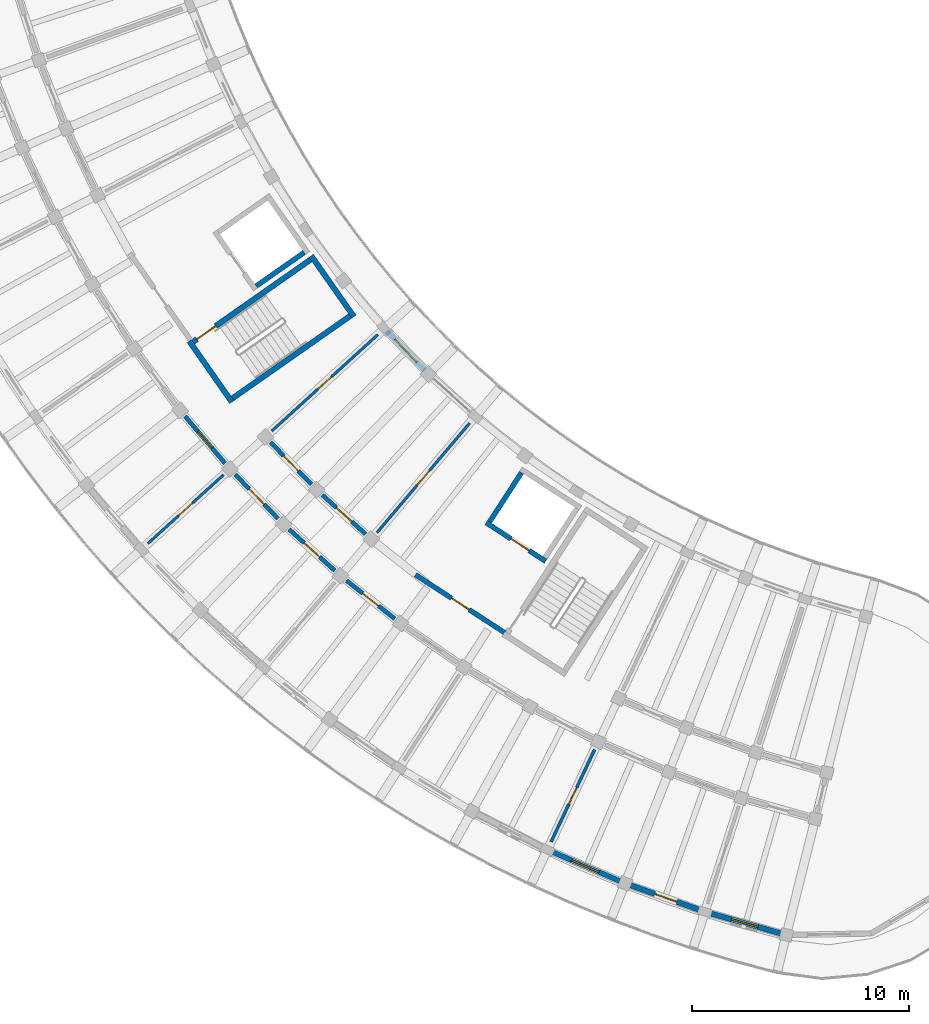
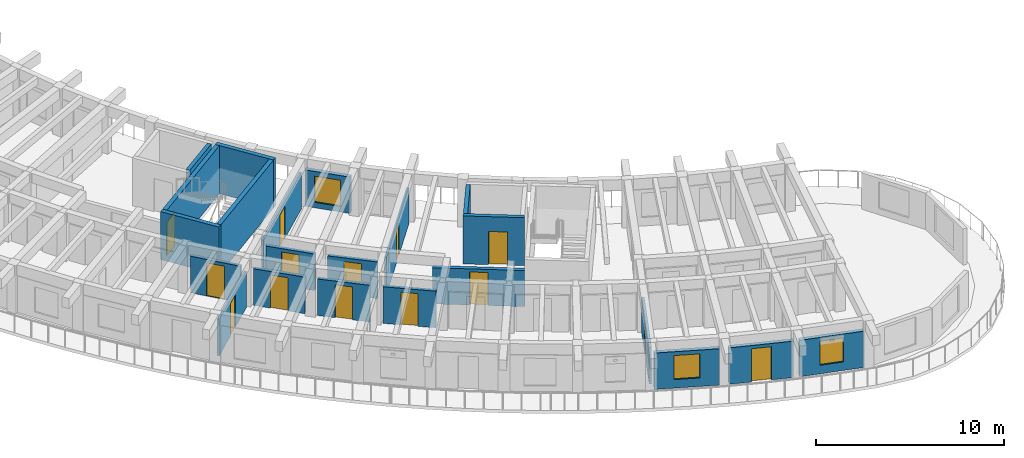
# One storey, part 28 of 69: 22 walls, 14 doors, 3 windows, 17 openings.
"""IFC4 building model written with IfcOpenShell, lengths in metres."""

from ifc_helpers import new_model, si_unit, direction, frame, frame_2d, origin, place, context, subcontext, project, spatial, rectangle, extrude, material, layer, layer_set, type_object, element, fill, save


model = new_model("IFC4")

# Units and contexts
model_context = context("Model", 3, precision=1e-05, world=origin(), true_north=direction((0.0, 1.0)))
body_context = subcontext(model_context, "Body", "Model", "MODEL_VIEW")
ifc_project = project(units=[si_unit("LENGTHUNIT", "METRE"), si_unit("AREAUNIT", "SQUARE_METRE"), si_unit("VOLUMEUNIT", "CUBIC_METRE"), si_unit("PLANEANGLEUNIT", "RADIAN"), si_unit("MASSUNIT", "GRAM", prefix="KILO")], contexts=[model_context])

# Site, building, storey
site_placement = place(None, origin())
site = spatial("IfcSite", under=ifc_project, at=site_placement, CompositionType="ELEMENT")
building_placement = place(site_placement, origin())
building = spatial("IfcBuilding", under=site, at=building_placement, Name="Tanwirah Colonnade Gardens", CompositionType="ELEMENT")
storey_placement = place(building_placement, frame((0.0, 0.0, 15.56005859375)))
storey = spatial("IfcBuildingStorey", under=building, at=storey_placement, Name="L04", CompositionType="ELEMENT", Elevation=15.56005859375)

# Wall, opening, window
ifc_material_1 = material(Name="Limestone architectural precast concrete C40/50", Category="masonry")
ifc_layer_1 = layer(ifc_material_1, 0.2451171875)
ifc_layer_set_1 = layer_set([ifc_layer_1], Name="Limestone architectural precast concrete C40/50")
wall_type_1 = type_object("IfcWallType", Name="EW-PC245", PredefinedType="SOLIDWALL", material=ifc_layer_set_1)
wall_1_placement = place(storey_placement, frame((32.208740234375, 34.49853515625, 0.0), z_axis=(0.0, 0.0, 1.0), x_axis=(0.696228228984, -0.717820488121, 0.0)))
wall_1 = element("IfcWall", 1, at=wall_1_placement, inside=storey, type_object=wall_type_1, Name="Block C L04 IN Precast Facade Wall 7", PredefinedType="SOLIDWALL", context=body_context, shape_type="SweptSolid", body=[
    extrude(rectangle(XDim=2.498779296875, YDim=0.2451171875, at=frame_2d((1.24951171875, 0.0))), origin(), (0.0, 0.0, 1.0), 2.35498046875),
])
opening_1_placement = place(wall_1_placement, frame((0.5244140625, 0.0, 0.35009765625)))
opening_1 = element("IfcOpeningElement", 2, at=opening_1_placement, cuts=wall_1, Name="Opening WIN-T07", PredefinedType="OPENING", context=body_context, shape_type="SweptSolid", body=[
    extrude(rectangle(XDim=1.449951171875, YDim=1.699951171875, at=frame_2d((0.72509765625, 0.85009765625))), frame((0.0, 0.132568359375, 0.0), z_axis=(0.0, -1.0, 0.0), x_axis=(1.0, 0.0, 0.0)), (0.0, 0.0, 1.0), 0.26513671875),
])
ifc_material_2 = material(Name="Thermally broken bronze aluminium and solar low-E double glazing", Category="aluminium")
window_type_1 = type_object("IfcWindowType", Name="WIN-T07", PartitioningType="DOUBLE_PANEL_VERTICAL", PredefinedType="WINDOW", material=ifc_material_2)
window_1_placement = place(opening_1_placement, origin())
window_1 = element("IfcWindow", 3, at=window_1_placement, inside=storey, type_object=window_type_1, Name="Facade window C-L04-IN-07", OverallHeight=1.699951171875, OverallWidth=1.449951171875, PartitioningType="SINGLE_PANEL", PredefinedType="WINDOW", context=body_context, shape_type="SweptSolid", body=[
    extrude(rectangle(XDim=1.449951171875, YDim=1.699951171875, at=frame_2d((0.72509765625, 0.85009765625))), frame((0.0, 0.030029296875, 0.0), z_axis=(0.0, -1.0, 0.0), x_axis=(1.0, 0.0, 0.0)), (0.0, 0.0, 1.0), 0.06005859375),
])
fill(opening_1, window_1)

wall_2_placement = place(storey_placement, frame((39.74462890625, 10.576171875, 0.0), z_axis=(0.0, 0.0, 1.0), x_axis=(0.917938367037, -0.396723019652, 0.0)))
wall_2 = element("IfcWall", 4, at=wall_2_placement, inside=storey, type_object=wall_type_1, Name="Block C L04 OUT Precast Facade Wall 13", PredefinedType="SOLIDWALL", context=body_context, shape_type="SweptSolid", body=[
    extrude(rectangle(XDim=3.48681640625, YDim=0.2451171875, at=frame_2d((1.743408203125, 0.0))), origin(), (0.0, 0.0, 1.0), 2.35498046875),
])
opening_2_placement = place(wall_2_placement, frame((1.053466796875, 0.0, 0.550048828125)))
opening_2 = element("IfcOpeningElement", 5, at=opening_2_placement, cuts=wall_2, Name="Opening WIN-T18", PredefinedType="OPENING", context=body_context, shape_type="SweptSolid", body=[
    extrude(rectangle(XDim=1.3798828125, YDim=1.56005859375, at=frame_2d((0.68994140625, 0.780029296875))), frame((0.0, 0.132568359375, 0.0), z_axis=(0.0, -1.0, 0.0), x_axis=(1.0, 0.0, 0.0)), (0.0, 0.0, 1.0), 0.26513671875),
])
window_type_2 = type_object("IfcWindowType", Name="WIN-T18", PartitioningType="DOUBLE_PANEL_VERTICAL", PredefinedType="WINDOW", material=ifc_material_2)
window_2_placement = place(opening_2_placement, origin())
window_2 = element("IfcWindow", 6, at=window_2_placement, inside=storey, type_object=window_type_2, Name="Facade window C-L04-OUT-13", OverallHeight=1.56005859375, OverallWidth=1.3798828125, PartitioningType="SINGLE_PANEL", PredefinedType="WINDOW", context=body_context, shape_type="SweptSolid", body=[
    extrude(rectangle(XDim=1.3798828125, YDim=1.56005859375, at=frame_2d((0.68994140625, 0.780029296875))), frame((0.0, 0.030029296875, 0.0), z_axis=(0.0, -1.0, 0.0), x_axis=(1.0, 0.0, 0.0)), (0.0, 0.0, 1.0), 0.06005859375),
])
fill(opening_2, window_2)

# Wall, opening, door
wall_3_placement = place(storey_placement, frame((43.410400390625, 9.009765625, 0.0), z_axis=(0.0, 0.0, 1.0), x_axis=(0.941903386561, -0.335883923976, 0.0)))
wall_3 = element("IfcWall", 7, at=wall_3_placement, inside=storey, type_object=wall_type_1, Name="Block C L04 OUT Precast Facade Wall 14", PredefinedType="SOLIDWALL", context=body_context, shape_type="SweptSolid", body=[
    extrude(rectangle(XDim=3.48681640625, YDim=0.2451171875, at=frame_2d((1.743408203125, 0.0))), origin(), (0.0, 0.0, 1.0), 2.35498046875),
])
opening_3_placement = place(wall_3_placement, frame((1.203369140625, 0.0, 0.0)))
opening_3 = element("IfcOpeningElement", 8, at=opening_3_placement, cuts=wall_3, Name="Opening L04-ED147", PredefinedType="OPENING", context=body_context, shape_type="SweptSolid", body=[
    extrude(rectangle(XDim=1.080078125, YDim=2.14990234375, at=frame_2d((0.5400390625, 1.074951171875))), frame((0.0, 0.132568359375, 0.0), z_axis=(0.0, -1.0, 0.0), x_axis=(1.0, 0.0, 0.0)), (0.0, 0.0, 1.0), 0.26513671875),
])
ifc_material_3 = material(Name="Bronze aluminium glazed balcony door", Category="aluminium")
door_type_1 = type_object("IfcDoorType", Name="ED-BAL108", OperationType="NOTDEFINED", PredefinedType="DOOR", material=ifc_material_3)
door_1_placement = place(opening_3_placement, origin())
door_1 = element("IfcDoor", 9, at=door_1_placement, inside=storey, type_object=door_type_1, Name="Balcony glazed door L04-ED147", OperationType="SINGLE_SWING_LEFT", OverallHeight=2.14990234375, OverallWidth=1.080078125, PredefinedType="DOOR", context=body_context, shape_type="SweptSolid", body=[
    extrude(rectangle(XDim=1.080078125, YDim=2.14990234375, at=frame_2d((0.5400390625, 1.074951171875))), frame((0.0, 0.02490234375, 0.0), z_axis=(0.0, -1.0, 0.0), x_axis=(1.0, 0.0, 0.0)), (0.0, 0.0, 1.0), 0.050048828125),
])
fill(opening_3, door_1)

# Wall, opening, window
wall_4_placement = place(storey_placement, frame((46.999267578125, 7.740966796875, 0.0), z_axis=(0.0, 0.0, 1.0), x_axis=(0.961871954212, -0.2735001713, 0.0)))
wall_4 = element("IfcWall", 10, at=wall_4_placement, inside=storey, type_object=wall_type_1, Name="Block C L04 OUT Precast Facade Wall 15", PredefinedType="SOLIDWALL", context=body_context, shape_type="SweptSolid", body=[
    extrude(rectangle(XDim=3.48681640625, YDim=0.2451171875, at=frame_2d((1.743408203125, 0.0))), origin(), (0.0, 0.0, 1.0), 2.35498046875),
])
opening_4_placement = place(wall_4_placement, frame((1.103515625, 0.0, 0.550048828125)))
opening_4 = element("IfcOpeningElement", 11, at=opening_4_placement, cuts=wall_4, Name="Opening WIN-U04", PredefinedType="OPENING", context=body_context, shape_type="SweptSolid", body=[
    extrude(rectangle(XDim=1.280029296875, YDim=1.56005859375, at=frame_2d((0.64013671875, 0.780029296875))), frame((0.0, 0.132568359375, 0.0), z_axis=(0.0, -1.0, 0.0), x_axis=(1.0, 0.0, 0.0)), (0.0, 0.0, 1.0), 0.26513671875),
])
window_type_3 = type_object("IfcWindowType", Name="WIN-U04", PartitioningType="DOUBLE_PANEL_VERTICAL", PredefinedType="WINDOW", material=ifc_material_2)
window_3_placement = place(opening_4_placement, origin())
window_3 = element("IfcWindow", 12, at=window_3_placement, inside=storey, type_object=window_type_3, Name="Facade window C-L04-OUT-15", OverallHeight=1.56005859375, OverallWidth=1.280029296875, PartitioningType="SINGLE_PANEL", PredefinedType="WINDOW", context=body_context, shape_type="SweptSolid", body=[
    extrude(rectangle(XDim=1.280029296875, YDim=1.56005859375, at=frame_2d((0.64013671875, 0.780029296875))), frame((0.0, 0.030029296875, 0.0), z_axis=(0.0, -1.0, 0.0), x_axis=(1.0, 0.0, 0.0)), (0.0, 0.0, 1.0), 0.06005859375),
])
fill(opening_4, window_3)

# Wall, opening, door
ifc_material_4 = material(Name="Precast concrete C40/50", Category="concrete")
ifc_layer_2 = layer(ifc_material_4, 0.195068359375)
ifc_layer_set_2 = layer_set([ifc_layer_2], Name="Precast concrete C40/50")
wall_type_2 = type_object("IfcWallType", Name="IW-CORR195", PredefinedType="PARTITIONING", material=ifc_layer_set_2)
wall_5_placement = place(storey_placement, frame((22.9267578125, 30.58642578125, 0.0), z_axis=(0.0, 0.0, 1.0), x_axis=(0.64778830669, -0.761820392032, 0.0)))
wall_5 = element("IfcWall", 13, at=wall_5_placement, inside=storey, type_object=wall_type_2, Name="Block C L04 OUT Corridor Wall 6", PredefinedType="PARTITIONING", context=body_context, shape_type="SweptSolid", body=[
    extrude(rectangle(XDim=2.8369140625, YDim=0.195068359375, at=frame_2d((1.41845703125, 0.0))), origin(), (0.0, 0.0, 1.0), 2.369873046875),
])
opening_5_placement = place(wall_5_placement, frame((0.923583984375, 0.0, 0.0)))
opening_5 = element("IfcOpeningElement", 14, at=opening_5_placement, cuts=wall_5, Name="Opening L04-AD1442", PredefinedType="OPENING", context=body_context, shape_type="SweptSolid", body=[
    extrude(rectangle(XDim=0.989990234375, YDim=2.159912109375, at=frame_2d((0.4951171875, 1.080078125))), frame((0.0, 0.107421875, 0.0), z_axis=(0.0, -1.0, 0.0), x_axis=(1.0, 0.0, 0.0)), (0.0, 0.0, 1.0), 0.215087890625),
])
ifc_material_5 = material(Name="Solid oak fire-resisting apartment entrance door")
door_type_2 = type_object("IfcDoorType", Name="ID-FLT099", OperationType="NOTDEFINED", PredefinedType="DOOR", material=ifc_material_5)
door_2_placement = place(opening_5_placement, origin())
door_2 = element("IfcDoor", 15, at=door_2_placement, inside=storey, type_object=door_type_2, Name="Apartment corridor door L04-AD1442", OperationType="SINGLE_SWING_LEFT", OverallHeight=2.159912109375, OverallWidth=0.989990234375, PredefinedType="DOOR", context=body_context, shape_type="SweptSolid", body=[
    extrude(rectangle(XDim=0.989990234375, YDim=2.159912109375, at=frame_2d((0.4951171875, 1.080078125))), frame((0.0, 0.02490234375, 0.0), z_axis=(0.0, -1.0, 0.0), x_axis=(1.0, 0.0, 0.0)), (0.0, 0.0, 1.0), 0.050048828125),
])
fill(opening_5, door_2)

wall_6_placement = place(storey_placement, frame((25.23486328125, 27.9072265625, 0.0), z_axis=(0.0, 0.0, 1.0), x_axis=(0.696223786753, -0.717824796701, 0.0)))
wall_6 = element("IfcWall", 16, at=wall_6_placement, inside=storey, type_object=wall_type_2, Name="Block C L04 OUT Corridor Wall 7", PredefinedType="PARTITIONING", context=body_context, shape_type="SweptSolid", body=[
    extrude(rectangle(XDim=2.8369140625, YDim=0.195068359375, at=frame_2d((1.41845703125, 0.0))), origin(), (0.0, 0.0, 1.0), 2.369873046875),
])
opening_6_placement = place(wall_6_placement, frame((0.93359375, 0.0, 0.0)))
opening_6 = element("IfcOpeningElement", 17, at=opening_6_placement, cuts=wall_6, Name="Opening L04-AD1445", PredefinedType="OPENING", context=body_context, shape_type="SweptSolid", body=[
    extrude(rectangle(XDim=0.969970703125, YDim=2.14990234375, at=frame_2d((0.48486328125, 1.074951171875))), frame((0.0, 0.107421875, 0.0), z_axis=(0.0, -1.0, 0.0), x_axis=(1.0, 0.0, 0.0)), (0.0, 0.0, 1.0), 0.215087890625),
])
door_type_3 = type_object("IfcDoorType", Name="ID-FLT097", OperationType="NOTDEFINED", PredefinedType="DOOR", material=ifc_material_5)
door_3_placement = place(opening_6_placement, origin())
door_3 = element("IfcDoor", 18, at=door_3_placement, inside=storey, type_object=door_type_3, Name="Apartment corridor door L04-AD1445", OperationType="SINGLE_SWING_RIGHT", OverallHeight=2.14990234375, OverallWidth=0.969970703125, PredefinedType="DOOR", context=body_context, shape_type="SweptSolid", body=[
    extrude(rectangle(XDim=0.969970703125, YDim=2.14990234375, at=frame_2d((0.48486328125, 1.074951171875))), frame((0.0, 0.02490234375, 0.0), z_axis=(0.0, -1.0, 0.0), x_axis=(1.0, 0.0, 0.0)), (0.0, 0.0, 1.0), 0.050048828125),
])
fill(opening_6, door_3)

wall_7_placement = place(storey_placement, frame((26.86328125, 29.386474609375, 0.0), z_axis=(0.0, 0.0, 1.0), x_axis=(0.696236443412, -0.717812520694, 0.0)))
wall_7 = element("IfcWall", 19, at=wall_7_placement, inside=storey, type_object=wall_type_2, Name="Block C L04 IN Corridor Wall 7", PredefinedType="PARTITIONING", context=body_context, shape_type="SweptSolid", body=[
    extrude(rectangle(XDim=2.693115234375, YDim=0.195068359375, at=frame_2d((1.3466796875, 0.0))), origin(), (0.0, 0.0, 1.0), 2.369873046875),
])
opening_7_placement = place(wall_7_placement, frame((0.861572265625, 0.0, 0.0)))
opening_7 = element("IfcOpeningElement", 20, at=opening_7_placement, cuts=wall_7, Name="Opening L04-AD1446", PredefinedType="OPENING", context=body_context, shape_type="SweptSolid", body=[
    extrude(rectangle(XDim=0.969970703125, YDim=2.14990234375, at=frame_2d((0.48486328125, 1.074951171875))), frame((0.0, 0.107421875, 0.0), z_axis=(0.0, -1.0, 0.0), x_axis=(1.0, 0.0, 0.0)), (0.0, 0.0, 1.0), 0.215087890625),
])
door_4_placement = place(opening_7_placement, origin())
door_4 = element("IfcDoor", 21, at=door_4_placement, inside=storey, type_object=door_type_3, Name="Apartment corridor door L04-AD1446", OperationType="SINGLE_SWING_LEFT", OverallHeight=2.14990234375, OverallWidth=0.969970703125, PredefinedType="DOOR", context=body_context, shape_type="SweptSolid", body=[
    extrude(rectangle(XDim=0.969970703125, YDim=2.14990234375, at=frame_2d((0.48486328125, 1.074951171875))), frame((0.0, 0.02490234375, 0.0), z_axis=(0.0, -1.0, 0.0), x_axis=(1.0, 0.0, 0.0)), (0.0, 0.0, 1.0), 0.050048828125),
])
fill(opening_7, door_4)

wall_8_placement = place(storey_placement, frame((27.71337890625, 25.385009765625, 0.0), z_axis=(0.0, 0.0, 1.0), x_axis=(0.741631592147, -0.670807410163, 0.0)))
wall_8 = element("IfcWall", 22, at=wall_8_placement, inside=storey, type_object=wall_type_2, Name="Block C L04 OUT Corridor Wall 8", PredefinedType="PARTITIONING", context=body_context, shape_type="SweptSolid", body=[
    extrude(rectangle(XDim=2.8369140625, YDim=0.195068359375, at=frame_2d((1.41845703125, 0.0))), origin(), (0.0, 0.0, 1.0), 2.369873046875),
])
opening_8_placement = place(wall_8_placement, frame((0.943603515625, 0.0, 0.0)))
opening_8 = element("IfcOpeningElement", 23, at=opening_8_placement, cuts=wall_8, Name="Opening L04-AD1447", PredefinedType="OPENING", context=body_context, shape_type="SweptSolid", body=[
    extrude(rectangle(XDim=0.949951171875, YDim=2.1298828125, at=frame_2d((0.47509765625, 1.06494140625))), frame((0.0, 0.107421875, 0.0), z_axis=(0.0, -1.0, 0.0), x_axis=(1.0, 0.0, 0.0)), (0.0, 0.0, 1.0), 0.215087890625),
])
door_type_4 = type_object("IfcDoorType", Name="ID-FLT095", OperationType="NOTDEFINED", PredefinedType="DOOR", material=ifc_material_5)
door_5_placement = place(opening_8_placement, origin())
door_5 = element("IfcDoor", 24, at=door_5_placement, inside=storey, type_object=door_type_4, Name="Apartment corridor door L04-AD1447", OperationType="SINGLE_SWING_LEFT", OverallHeight=2.1298828125, OverallWidth=0.949951171875, PredefinedType="DOOR", context=body_context, shape_type="SweptSolid", body=[
    extrude(rectangle(XDim=0.949951171875, YDim=2.1298828125, at=frame_2d((0.47509765625, 1.06494140625))), frame((0.0, 0.02490234375, 0.0), z_axis=(0.0, -1.0, 0.0), x_axis=(1.0, 0.0, 0.0)), (0.0, 0.0, 1.0), 0.050048828125),
])
fill(opening_8, door_5)

wall_9_placement = place(storey_placement, frame((29.241455078125, 26.967529296875, 0.0), z_axis=(0.0, 0.0, 1.0), x_axis=(0.74166462946, -0.670770882945, 0.0)))
wall_9 = element("IfcWall", 25, at=wall_9_placement, inside=storey, type_object=wall_type_2, Name="Block C L04 IN Corridor Wall 8", PredefinedType="PARTITIONING", context=body_context, shape_type="SweptSolid", body=[
    extrude(rectangle(XDim=2.693115234375, YDim=0.195068359375, at=frame_2d((1.3466796875, 0.0))), origin(), (0.0, 0.0, 1.0), 2.369873046875),
])
opening_9_placement = place(wall_9_placement, frame((0.87158203125, 0.0, 0.0)))
opening_9 = element("IfcOpeningElement", 26, at=opening_9_placement, cuts=wall_9, Name="Opening L04-AD1448", PredefinedType="OPENING", context=body_context, shape_type="SweptSolid", body=[
    extrude(rectangle(XDim=0.949951171875, YDim=2.1298828125, at=frame_2d((0.47509765625, 1.06494140625))), frame((0.0, 0.107421875, 0.0), z_axis=(0.0, -1.0, 0.0), x_axis=(1.0, 0.0, 0.0)), (0.0, 0.0, 1.0), 0.215087890625),
])
door_6_placement = place(opening_9_placement, origin())
door_6 = element("IfcDoor", 27, at=door_6_placement, inside=storey, type_object=door_type_4, Name="Apartment corridor door L04-AD1448", OperationType="SINGLE_SWING_RIGHT", OverallHeight=2.1298828125, OverallWidth=0.949951171875, PredefinedType="DOOR", context=body_context, shape_type="SweptSolid", body=[
    extrude(rectangle(XDim=0.949951171875, YDim=2.1298828125, at=frame_2d((0.47509765625, 1.06494140625))), frame((0.0, 0.02490234375, 0.0), z_axis=(0.0, -1.0, 0.0), x_axis=(1.0, 0.0, 0.0)), (0.0, 0.0, 1.0), 0.050048828125),
])
fill(opening_9, door_6)

wall_10_placement = place(storey_placement, frame((30.351318359375, 23.030029296875, 0.0), z_axis=(0.0, 0.0, 1.0), x_axis=(0.783965548427, -0.620804332201, 0.0)))
wall_10 = element("IfcWall", 28, at=wall_10_placement, inside=storey, type_object=wall_type_2, Name="Block C L04 OUT Corridor Wall 9", PredefinedType="PARTITIONING", context=body_context, shape_type="SweptSolid", body=[
    extrude(rectangle(XDim=2.8369140625, YDim=0.195068359375, at=frame_2d((1.41845703125, 0.0))), origin(), (0.0, 0.0, 1.0), 2.369873046875),
])
opening_10_placement = place(wall_10_placement, frame((0.95361328125, 0.0, 0.0)))
opening_10 = element("IfcOpeningElement", 29, at=opening_10_placement, cuts=wall_10, Name="Opening L04-AD1451", PredefinedType="OPENING", context=body_context, shape_type="SweptSolid", body=[
    extrude(rectangle(XDim=0.929931640625, YDim=2.1201171875, at=frame_2d((0.46484375, 1.06005859375))), frame((0.0, 0.107421875, 0.0), z_axis=(0.0, -1.0, 0.0), x_axis=(1.0, 0.0, 0.0)), (0.0, 0.0, 1.0), 0.215087890625),
])
door_type_5 = type_object("IfcDoorType", Name="ID-FLT093", OperationType="NOTDEFINED", PredefinedType="DOOR", material=ifc_material_5)
door_7_placement = place(opening_10_placement, origin())
door_7 = element("IfcDoor", 30, at=door_7_placement, inside=storey, type_object=door_type_5, Name="Apartment corridor door L04-AD1451", OperationType="SINGLE_SWING_RIGHT", OverallHeight=2.1201171875, OverallWidth=0.929931640625, PredefinedType="DOOR", context=body_context, shape_type="SweptSolid", body=[
    extrude(rectangle(XDim=0.929931640625, YDim=2.1201171875, at=frame_2d((0.46484375, 1.06005859375))), frame((0.0, 0.02490234375, 0.0), z_axis=(0.0, -1.0, 0.0), x_axis=(1.0, 0.0, 0.0)), (0.0, 0.0, 1.0), 0.050048828125),
])
fill(opening_10, door_7)

ifc_material_6 = material(Name="Autoclaved aerated masonry blockwork", Category="masonry")
ifc_layer_3 = layer(ifc_material_6, 0.219970703125)
ifc_layer_set_3 = layer_set([ifc_layer_3], Name="Autoclaved aerated masonry blockwork")
wall_type_3 = type_object("IfcWallType", Name="IW-FFL220", PredefinedType="PARTITIONING", material=ifc_layer_set_3)
wall_11_placement = place(storey_placement, frame((37.638916015625, 20.623291015625, 0.0), z_axis=(0.0, 0.0, 1.0), x_axis=(-0.838681446513, 0.544622283124, 0.0)))
wall_11 = element("IfcWall", 31, at=wall_11_placement, inside=storey, type_object=wall_type_3, Name="CORE-C2 L04 Enclosed Lobby Fire Wall", PredefinedType="PARTITIONING", context=body_context, shape_type="SweptSolid", body=[
    extrude(rectangle(XDim=4.900146484375, YDim=0.219970703125, at=frame_2d((2.4501953125, 0.0))), origin(), (0.0, 0.0, 1.0), 2.33984375),
])
opening_11_placement = place(wall_11_placement, frame((1.949951171875, 0.0, 0.0)))
opening_11 = element("IfcOpeningElement", 32, at=opening_11_placement, cuts=wall_11, Name="Opening L04-LD162", PredefinedType="OPENING", context=body_context, shape_type="SweptSolid", body=[
    extrude(rectangle(XDim=0.97998046875, YDim=2.139892578125, at=frame_2d((0.489990234375, 1.06982421875))), frame((0.0, 0.119873046875, 0.0), z_axis=(0.0, -1.0, 0.0), x_axis=(1.0, 0.0, 0.0)), (0.0, 0.0, 1.0), 0.239990234375),
])
ifc_material_7 = material(Name="Acoustic fire-resisting lobby door")
door_type_6 = type_object("IfcDoorType", Name="ID-FFL098", OperationType="NOTDEFINED", PredefinedType="DOOR", material=ifc_material_7)
door_8_placement = place(opening_11_placement, origin())
door_8 = element("IfcDoor", 33, at=door_8_placement, inside=storey, type_object=door_type_6, Name="CORE-C2 L04 Lobby Fire Door L04-LD162", OperationType="SINGLE_SWING_LEFT", OverallHeight=2.139892578125, OverallWidth=0.97998046875, PredefinedType="DOOR", context=body_context, shape_type="SweptSolid", body=[
    extrude(rectangle(XDim=0.97998046875, YDim=2.139892578125, at=frame_2d((0.489990234375, 1.06982421875))), frame((0.0, 0.02490234375, 0.0), z_axis=(0.0, -1.0, 0.0), x_axis=(1.0, 0.0, 0.0)), (0.0, 0.0, 1.0), 0.050048828125),
])
fill(opening_11, door_8)

ifc_material_8 = material(Name="Moisture-resistant gypsum stud partition")
ifc_layer_4 = layer(ifc_material_8, 0.125)
ifc_layer_set_4 = layer_set([ifc_layer_4], Name="Moisture-resistant gypsum stud partition")
wall_type_4 = type_object("IfcWallType", Name="IW-INT125", PredefinedType="PARTITIONING", material=ifc_layer_set_4)
wall_12_placement = place(storey_placement, frame((24.695068359375, 27.8896484375, 0.0), z_axis=(0.0, 0.0, 1.0), x_axis=(-0.740212663782, -0.672372822456, 0.0)))
wall_12 = element("IfcWall", 34, at=wall_12_placement, inside=storey, type_object=wall_type_4, Name="Block C L04 Radial Partition 6", PredefinedType="PARTITIONING", context=body_context, shape_type="SweptSolid", body=[
    extrude(rectangle(XDim=4.699951171875, YDim=0.125, at=frame_2d((2.35009765625, 0.0))), origin(), (0.0, 0.0, 1.0), 2.369873046875),
])
opening_12_placement = place(wall_12_placement, frame((1.905029296875, 0.0, 0.0)))
opening_12 = element("IfcOpeningElement", 35, at=opening_12_placement, cuts=wall_12, Name="Opening L04-RD1443", PredefinedType="OPENING", context=body_context, shape_type="SweptSolid", body=[
    extrude(rectangle(XDim=0.889892578125, YDim=2.10009765625, at=frame_2d((0.44482421875, 1.050048828125))), frame((0.0, 0.072509765625, 0.0), z_axis=(0.0, -1.0, 0.0), x_axis=(1.0, 0.0, 0.0)), (0.0, 0.0, 1.0), 0.14501953125),
])
ifc_material_9 = material(Name="Painted hardwood bedroom door", Category="wood")
door_type_7 = type_object("IfcDoorType", Name="ID-RM089", OperationType="NOTDEFINED", PredefinedType="DOOR", material=ifc_material_9)
door_9_placement = place(opening_12_placement, origin())
door_9 = element("IfcDoor", 36, at=door_9_placement, inside=storey, type_object=door_type_7, Name="Internal apartment door L04-RD1443", OperationType="SINGLE_SWING_LEFT", OverallHeight=2.10009765625, OverallWidth=0.889892578125, PredefinedType="DOOR", context=body_context, shape_type="SweptSolid", body=[
    extrude(rectangle(XDim=0.889892578125, YDim=2.10009765625, at=frame_2d((0.44482421875, 1.050048828125))), frame((0.0, 0.02490234375, 0.0), z_axis=(0.0, -1.0, 0.0), x_axis=(1.0, 0.0, 0.0)), (0.0, 0.0, 1.0), 0.050048828125),
])
fill(opening_12, door_9)

wall_13_placement = place(storey_placement, frame((31.80126953125, 34.34423828125, 0.0), z_axis=(0.0, 0.0, 1.0), x_axis=(-0.74023124711, -0.672352363573, 0.0)))
wall_13 = element("IfcWall", 37, at=wall_13_placement, inside=storey, type_object=wall_type_4, Name="Block C L04 Inner Radial Partition 6", PredefinedType="PARTITIONING", context=body_context, shape_type="SweptSolid", body=[
    extrude(rectangle(XDim=6.599853515625, YDim=0.125, at=frame_2d((3.2998046875, 0.0))), origin(), (0.0, 0.0, 1.0), 2.369873046875),
])
opening_13_placement = place(wall_13_placement, frame((2.864990234375, 0.0, 0.0)))
opening_13 = element("IfcOpeningElement", 38, at=opening_13_placement, cuts=wall_13, Name="Opening L04-RD1444", PredefinedType="OPENING", context=body_context, shape_type="SweptSolid", body=[
    extrude(rectangle(XDim=0.8701171875, YDim=2.080078125, at=frame_2d((0.43505859375, 1.0400390625))), frame((0.0, 0.072509765625, 0.0), z_axis=(0.0, -1.0, 0.0), x_axis=(1.0, 0.0, 0.0)), (0.0, 0.0, 1.0), 0.14501953125),
])
ifc_material_10 = material(Name="Painted hardwood study door", Category="wood")
door_type_8 = type_object("IfcDoorType", Name="ID-RM087", OperationType="NOTDEFINED", PredefinedType="DOOR", material=ifc_material_10)
door_10_placement = place(opening_13_placement, origin())
door_10 = element("IfcDoor", 39, at=door_10_placement, inside=storey, type_object=door_type_8, Name="Internal apartment door L04-RD1444", OperationType="SINGLE_SWING_RIGHT", OverallHeight=2.080078125, OverallWidth=0.8701171875, PredefinedType="DOOR", context=body_context, shape_type="SweptSolid", body=[
    extrude(rectangle(XDim=0.8701171875, YDim=2.080078125, at=frame_2d((0.43505859375, 1.0400390625))), frame((0.0, 0.02490234375, 0.0), z_axis=(0.0, -1.0, 0.0), x_axis=(1.0, 0.0, 0.0)), (0.0, 0.0, 1.0), 0.050048828125),
])
fill(opening_13, door_10)

wall_14_placement = place(storey_placement, frame((36.021240234375, 30.26904296875, 0.0), z_axis=(0.0, 0.0, 1.0), x_axis=(-0.646121311019, -0.763234728932, 0.0)))
wall_14 = element("IfcWall", 40, at=wall_14_placement, inside=storey, type_object=wall_type_4, Name="Block C L04 Inner Radial Partition 8", PredefinedType="PARTITIONING", context=body_context, shape_type="SweptSolid", body=[
    extrude(rectangle(XDim=6.60009765625, YDim=0.125, at=frame_2d((3.300048828125, 0.0))), origin(), (0.0, 0.0, 1.0), 2.369873046875),
])
opening_14_placement = place(wall_14_placement, frame((2.85498046875, 0.0, 0.0)))
opening_14 = element("IfcOpeningElement", 41, at=opening_14_placement, cuts=wall_14, Name="Opening L04-RD1450", PredefinedType="OPENING", context=body_context, shape_type="SweptSolid", body=[
    extrude(rectangle(XDim=0.889892578125, YDim=2.10009765625, at=frame_2d((0.44482421875, 1.050048828125))), frame((0.0, 0.072509765625, 0.0), z_axis=(0.0, -1.0, 0.0), x_axis=(1.0, 0.0, 0.0)), (0.0, 0.0, 1.0), 0.14501953125),
])
door_11_placement = place(opening_14_placement, origin())
door_11 = element("IfcDoor", 42, at=door_11_placement, inside=storey, type_object=door_type_7, Name="Internal apartment door L04-RD1450", OperationType="SINGLE_SWING_RIGHT", OverallHeight=2.10009765625, OverallWidth=0.889892578125, PredefinedType="DOOR", context=body_context, shape_type="SweptSolid", body=[
    extrude(rectangle(XDim=0.889892578125, YDim=2.10009765625, at=frame_2d((0.44482421875, 1.050048828125))), frame((0.0, 0.02490234375, 0.0), z_axis=(0.0, -1.0, 0.0), x_axis=(1.0, 0.0, 0.0)), (0.0, 0.0, 1.0), 0.050048828125),
])
fill(opening_14, door_11)

ifc_material_11 = material(Name="Water-resistant acoustic plumbing partition")
ifc_layer_5 = layer(ifc_material_11, 0.139892578125)
ifc_layer_set_5 = layer_set([ifc_layer_5], Name="Water-resistant acoustic plumbing partition")
wall_type_5 = type_object("IfcWallType", Name="IW-WET140", PredefinedType="PLUMBINGWALL", material=ifc_layer_set_5)
wall_15_placement = place(storey_placement, frame((41.7734375, 15.25244140625, 0.0), z_axis=(0.0, 0.0, 1.0), x_axis=(-0.426567365945, -0.904455793453, 0.0)))
wall_15 = element("IfcWall", 43, at=wall_15_placement, inside=storey, type_object=wall_type_5, Name="Block C L04 Radial Partition 12", PredefinedType="PLUMBINGWALL", context=body_context, shape_type="SweptSolid", body=[
    extrude(rectangle(XDim=4.699951171875, YDim=0.139892578125, at=frame_2d((2.35009765625, 0.0))), origin(), (0.0, 0.0, 1.0), 2.369873046875),
])
opening_15_placement = place(wall_15_placement, frame((1.925048828125, 0.0, 0.0)))
opening_15 = element("IfcOpeningElement", 44, at=opening_15_placement, cuts=wall_15, Name="Opening L04-RD1456", PredefinedType="OPENING", context=body_context, shape_type="SweptSolid", body=[
    extrude(rectangle(XDim=0.85009765625, YDim=2.050048828125, at=frame_2d((0.425048828125, 1.02490234375))), frame((0.0, 0.079833984375, 0.0), z_axis=(0.0, -1.0, 0.0), x_axis=(1.0, 0.0, 0.0)), (0.0, 0.0, 1.0), 0.159912109375),
])
ifc_material_12 = material(Name="Moisture-resistant en-suite door")
door_type_9 = type_object("IfcDoorType", Name="ID-WET085", OperationType="NOTDEFINED", PredefinedType="DOOR", material=ifc_material_12)
door_12_placement = place(opening_15_placement, origin())
door_12 = element("IfcDoor", 45, at=door_12_placement, inside=storey, type_object=door_type_9, Name="Internal apartment door L04-RD1456", OperationType="SINGLE_SWING_LEFT", OverallHeight=2.050048828125, OverallWidth=0.85009765625, PredefinedType="DOOR", context=body_context, shape_type="SweptSolid", body=[
    extrude(rectangle(XDim=0.85009765625, YDim=2.050048828125, at=frame_2d((0.425048828125, 1.02490234375))), frame((0.0, 0.02490234375, 0.0), z_axis=(0.0, -1.0, 0.0), x_axis=(1.0, 0.0, 0.0)), (0.0, 0.0, 1.0), 0.050048828125),
])
fill(opening_15, door_12)

# Walls
ifc_material_13 = material(Name="Concrete C45/55", Category="concrete")
ifc_layer_6 = layer(ifc_material_13, 0.25)
ifc_layer_set_6 = layer_set([ifc_layer_6], Name="Concrete C45/55")
wall_type_6 = type_object("IfcWallType", Name="SW-CORE250", PredefinedType="SHEAR", material=ifc_layer_set_6)
wall_16_placement = place(storey_placement, frame((25.1142578125, 31.413818359375, 0.0), z_axis=(0.0, 0.0, 1.0), x_axis=(0.819141541656, 0.573591435374, 0.0)))
element("IfcWall", 46, at=wall_16_placement, inside=storey, type_object=wall_type_6, Name="CORE-C1 L04 Stair Shaft Shear Wall LEFT", PredefinedType="SHEAR", context=body_context, shape_type="SweptSolid", body=[
    extrude(rectangle(XDim=6.599853515625, YDim=0.25, at=frame_2d((3.2998046875, 0.0))), origin(), (0.0, 0.0, 1.0), 3.10986328125),
])
for number, where, z_axis, x_axis, name in (
    (47, (30.694580078125, 35.168701171875, 0.0), (0.0, 0.0, 1.0), (-0.573582112484, 0.819148069789, 0.0), "CORE-C1 L04 Stair Shaft Shear Wall FAR"),
    (48, (25.08349609375, 31.23974609375, 0.0), (0.0, 0.0, 1.0), (-0.573582112484, 0.819148069789, 0.0), "CORE-C1 L04 Stair Shaft Shear Wall NEAR"),
):
    element("IfcWall", number, at=place(storey_placement, frame(where, z_axis=z_axis, x_axis=x_axis)), inside=storey, type_object=wall_type_6, Name=name, PredefinedType="SHEAR", context=body_context, shape_type="SweptSolid", body=[
        extrude(rectangle(XDim=3.419921875, YDim=0.25, at=frame_2d((1.7099609375, 0.0))), origin(), (0.0, 0.0, 1.0), 3.10986328125),
    ])

# Wall, opening, door
wall_17_placement = place(storey_placement, frame((23.2958984375, 34.010498046875, 0.0), z_axis=(0.0, 0.0, 1.0), x_axis=(0.819153711596, 0.573574055182, 0.0)))
wall_17 = element("IfcWall", 49, at=wall_17_placement, inside=storey, type_object=wall_type_6, Name="CORE-C1 L04 Stair Shaft Shear Wall RIGHT", PredefinedType="SHEAR", context=body_context, shape_type="SweptSolid", body=[
    extrude(rectangle(XDim=6.60009765625, YDim=0.25, at=frame_2d((3.300048828125, 0.0))), origin(), (0.0, 0.0, 1.0), 3.10986328125),
])
opening_16_placement = place(wall_17_placement, frame((0.219970703125, 0.0, 0.0)))
opening_16 = element("IfcOpeningElement", 50, at=opening_16_placement, cuts=wall_17, Name="Opening L04-SD126", PredefinedType="OPENING", context=body_context, shape_type="SweptSolid", body=[
    extrude(rectangle(XDim=1.050048828125, YDim=2.14990234375, at=frame_2d((0.52490234375, 1.074951171875))), frame((0.0, 0.135009765625, 0.0), z_axis=(0.0, -1.0, 0.0), x_axis=(1.0, 0.0, 0.0)), (0.0, 0.0, 1.0), 0.27001953125),
])
ifc_material_14 = material(Name="Steel fire-resisting stair enclosure door", Category="steel")
door_type_10 = type_object("IfcDoorType", Name="ID-ST105", OperationType="NOTDEFINED", PredefinedType="DOOR", material=ifc_material_14)
door_13_placement = place(opening_16_placement, origin())
door_13 = element("IfcDoor", 51, at=door_13_placement, inside=storey, type_object=door_type_10, Name="CORE-C1 L04 Stair Fire Door L04-SD126", OperationType="SINGLE_SWING_LEFT", OverallHeight=2.14990234375, OverallWidth=1.050048828125, PredefinedType="DOOR", context=body_context, shape_type="SweptSolid", body=[
    extrude(rectangle(XDim=1.050048828125, YDim=2.14990234375, at=frame_2d((0.52490234375, 1.074951171875))), frame((0.0, 0.02490234375, 0.0), z_axis=(0.0, -1.0, 0.0), x_axis=(1.0, 0.0, 0.0)), (0.0, 0.0, 1.0), 0.050048828125),
])
fill(opening_16, door_13)

# Wall
ifc_layer_7 = layer(ifc_material_13, 0.22998046875)
ifc_layer_set_7 = layer_set([ifc_layer_7], Name="Concrete C45/55")
wall_type_7 = type_object("IfcWallType", Name="SW-LIFT230", PredefinedType="SHEAR", material=ifc_layer_set_7)
wall_18_placement = place(storey_placement, frame((26.197265625, 36.579345703125, 0.0), z_axis=(0.0, 0.0, 1.0), x_axis=(0.819159695432, 0.573565509231, 0.0)))
element("IfcWall", 52, at=wall_18_placement, inside=storey, type_object=wall_type_7, Name="CORE-C1 L04 Lift Shaft Wall SIDEA", PredefinedType="SHEAR", context=body_context, shape_type="SweptSolid", body=[
    extrude(rectangle(XDim=2.699951171875, YDim=0.22998046875, at=frame_2d((1.35009765625, 0.0))), origin(), (0.0, 0.0, 1.0), 3.10986328125),
])

# Wall, opening, door
wall_19_placement = place(storey_placement, frame((39.515869140625, 23.91748046875, 0.0), z_axis=(0.0, 0.0, 1.0), x_axis=(-0.838660840752, 0.544654013286, 0.0)))
wall_19 = element("IfcWall", 53, at=wall_19_placement, inside=storey, type_object=wall_type_7, Name="CORE-C2 L04 Lift Shaft Wall FRONT", PredefinedType="SHEAR", context=body_context, shape_type="SweptSolid", body=[
    extrude(rectangle(XDim=3.260009765625, YDim=0.22998046875, at=frame_2d((1.6298828125, 0.0))), origin(), (0.0, 0.0, 1.0), 3.10986328125),
])
opening_17_placement = place(wall_19_placement, frame((0.89990234375, 0.0, 0.0)))
opening_17 = element("IfcOpeningElement", 54, at=opening_17_placement, cuts=wall_19, Name="Opening L04-LD-PL-C2", PredefinedType="OPENING", context=body_context, shape_type="SweptSolid", body=[
    extrude(rectangle(XDim=1.0, YDim=2.14990234375, at=frame_2d((0.5, 1.074951171875))), frame((0.0, 0.125, 0.0), z_axis=(0.0, -1.0, 0.0), x_axis=(1.0, 0.0, 0.0)), (0.0, 0.0, 1.0), 0.25),
])
ifc_material_15 = material(Name="Bronze stainless steel sliding lift landing door", Category="steel")
door_type_11 = type_object("IfcDoorType", Name="LD-PS10", OperationType="DOUBLE_DOOR_SLIDING", PredefinedType="DOOR", material=ifc_material_15)
door_14_placement = place(opening_17_placement, origin())
door_14 = element("IfcDoor", 55, at=door_14_placement, inside=storey, type_object=door_type_11, Name="Lift PL-C2 L04 Sliding Landing Door", OperationType="DOUBLE_DOOR_SLIDING", OverallHeight=2.14990234375, OverallWidth=1.0, PredefinedType="DOOR", context=body_context, shape_type="SweptSolid", body=[
    extrude(rectangle(XDim=1.0, YDim=2.14990234375, at=frame_2d((0.5, 1.074951171875))), frame((0.0, 0.02490234375, 0.0), z_axis=(0.0, -1.0, 0.0), x_axis=(1.0, 0.0, 0.0)), (0.0, 0.0, 1.0), 0.050048828125),
])
fill(opening_17, door_14)

# Wall
wall_20_placement = place(storey_placement, frame((36.94091796875, 25.726806640625, 0.0), z_axis=(0.0, 0.0, 1.0), x_axis=(0.544622789439, 0.838681117722, 0.0)))
element("IfcWall", 56, at=wall_20_placement, inside=storey, type_object=wall_type_7, Name="CORE-C2 L04 Lift Shaft Wall SIDEB", PredefinedType="SHEAR", context=body_context, shape_type="SweptSolid", body=[
    extrude(rectangle(XDim=2.699951171875, YDim=0.22998046875, at=frame_2d((1.35009765625, 0.0))), origin(), (0.0, 0.0, 1.0), 3.10986328125),
])

save(model, "model.ifc")
